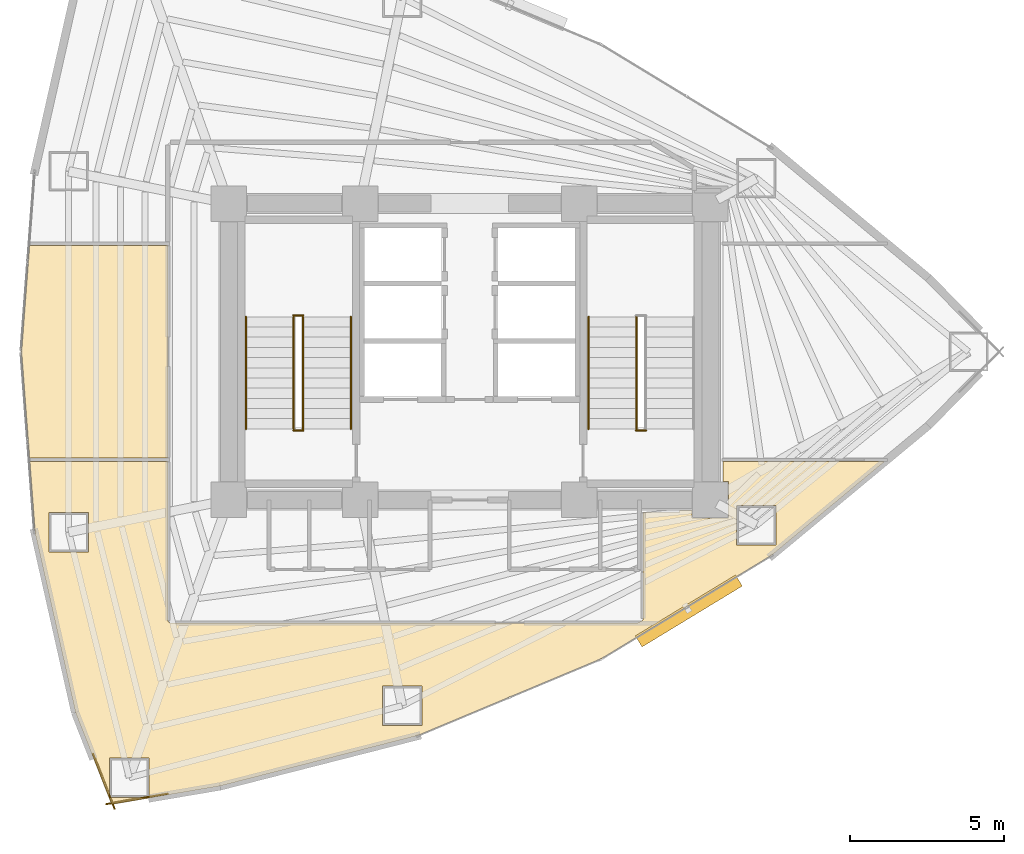
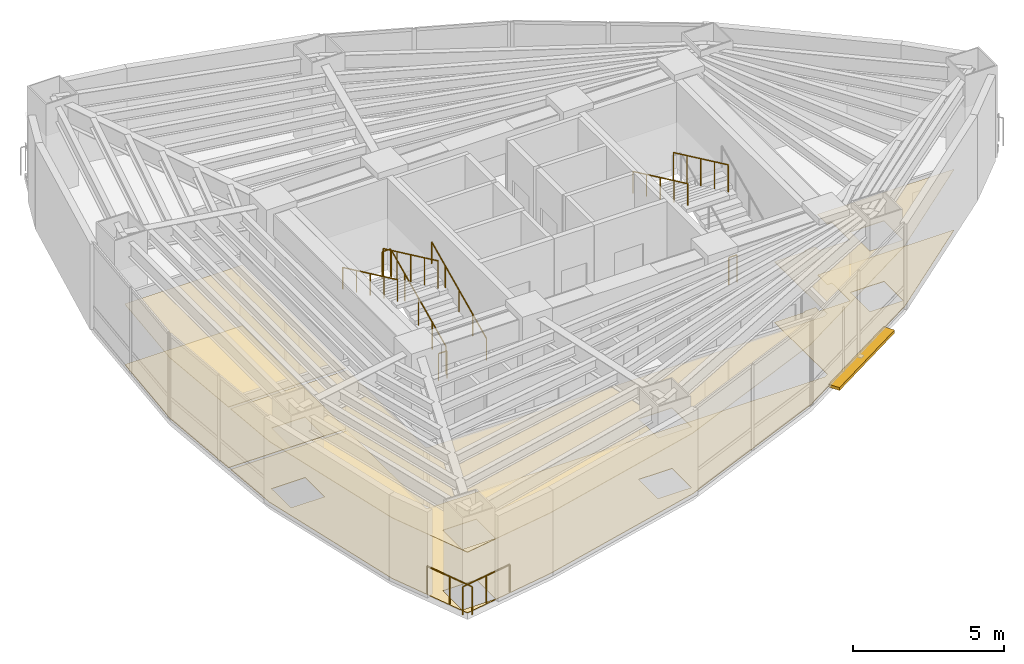
# One storey, part 17 of 18: 11 railings, 4 coverings, 1 shading device.
"""IFC4 building model written with IfcOpenShell, lengths in metres."""

from ifc_helpers import new_model, si_unit, direction, frame, origin, origin_2d, place, context, subcontext, project, spatial, polyline, rectangle, circle, outline, extrude, material, layer, layer_set, type_object, element, save


model = new_model("IFC4")

# Units and contexts
model_context = context("Model", 3, precision=1e-05, world=origin(), true_north=direction((0.0, 1.0)))
body_context = subcontext(model_context, "Body", "Model", "MODEL_VIEW")
ifc_project = project(units=[si_unit("LENGTHUNIT", "METRE"), si_unit("AREAUNIT", "SQUARE_METRE"), si_unit("VOLUMEUNIT", "CUBIC_METRE"), si_unit("PLANEANGLEUNIT", "RADIAN"), si_unit("MASSUNIT", "GRAM", prefix="KILO")], contexts=[model_context])

# Site, building, storey
site_placement = place(None, origin())
site = spatial("IfcSite", under=ifc_project, at=site_placement, CompositionType="ELEMENT")
building_placement = place(site_placement, origin())
building = spatial("IfcBuilding", under=site, at=building_placement, Name="Menara Vayukalpa", CompositionType="ELEMENT")
storey_placement = place(building_placement, frame((0.0, 0.0, 92.820068359375)))
storey = spatial("IfcBuildingStorey", under=building, at=storey_placement, Name="L22", CompositionType="ELEMENT", Elevation=92.820068359375)

# Coverings
ifc_material_1 = material(Name="Mineral Fibre Acoustic Ceiling Tile", Category="masonry")
ifc_layer_1 = layer(ifc_material_1, 0.02490234375)
ifc_layer_set_1 = layer_set([ifc_layer_1], Name="Mineral Fibre Acoustic Ceiling Tile")
covering_type_1 = type_object("IfcCoveringType", Name="COV-CLG1", PredefinedType="CEILING", material=ifc_layer_set_1)
covering_1_placement = place(storey_placement, frame((0.0, 0.0, 2.449951171875)))
element("IfcCovering", 1, at=covering_1_placement, inside=storey, type_object=covering_type_1, Name="L22 Digital Engineering Lab Acoustic Ceiling", PredefinedType="CEILING", context=body_context, shape_type="SweptSolid", body=[
    extrude(outline(polyline([(23.903564453125, 9.561767578125), (17.5087890625, 7.930908203125), (17.5078125, 7.9306640625), (14.00830078125, 7.33642578125), (14.00732421875, 7.33642578125), (14.00634765625, 7.33642578125), (14.005615234375, 7.33642578125), (14.00439453125, 7.336669921875), (14.003662109375, 7.3369140625), (14.002685546875, 7.33740234375), (14.001708984375, 7.337646484375), (14.0009765625, 7.338134765625), (14.000244140625, 7.3388671875), (13.99951171875, 7.339599609375), (13.998779296875, 7.340087890625), (13.998291015625, 7.341064453125), (13.997802734375, 7.341796875), (13.997314453125, 7.3427734375), (12.831787109375, 10.310791015625), (12.83154296875, 10.3115234375), (12.831298828125, 10.312255859375), (11.5166015625, 16.155029296875), (11.516357421875, 16.156494140625), (11.345947265625, 18.42919921875), (11.345947265625, 18.43017578125), (11.34619140625, 18.43115234375), (11.34619140625, 18.43212890625), (11.346435546875, 18.43310546875), (11.3466796875, 18.43408203125), (11.347412109375, 18.434814453125), (11.347900390625, 18.435791015625), (11.348388671875, 18.436279296875), (11.34912109375, 18.43701171875), (11.349609375, 18.437744140625), (11.3505859375, 18.4384765625), (11.351318359375, 18.43896484375), (11.352294921875, 18.439208984375), (11.35302734375, 18.439697265625), (11.35400390625, 18.439697265625), (11.35498046875, 18.43994140625), (11.35595703125, 18.43994140625), (15.820068359375, 18.43994140625), (15.821044921875, 18.43994140625), (15.822021484375, 18.439697265625), (15.822998046875, 18.439697265625), (15.82373046875, 18.439208984375), (15.82470703125, 18.438720703125), (15.82568359375, 18.438232421875), (15.826416015625, 18.437744140625), (15.8271484375, 18.43701171875), (15.82763671875, 18.436279296875), (15.828369140625, 18.435546875), (15.828857421875, 18.434814453125), (15.8291015625, 18.433837890625), (15.82958984375, 18.432861328125), (15.829833984375, 18.431884765625), (15.830078125, 18.430908203125), (15.830078125, 18.429931640625), (15.830078125, 13.290283203125), (15.830322265625, 13.283203125), (15.831298828125, 13.2763671875), (15.8330078125, 13.269775390625), (15.835205078125, 13.26318359375), (15.838134765625, 13.257080078125), (15.841796875, 13.251220703125), (15.845947265625, 13.24560546875), (15.8505859375, 13.240478515625), (15.85546875, 13.236083984375), (15.861083984375, 13.231689453125), (15.866943359375, 13.228271484375), (15.873291015625, 13.225341796875), (15.879638671875, 13.222900390625), (15.88623046875, 13.22119140625), (15.893310546875, 13.220458984375), (15.900390625, 13.219970703125), (31.048828125, 13.219970703125), (31.055419921875, 13.22021484375), (31.0615234375, 13.22119140625), (31.06787109375, 13.22265625), (31.073974609375, 13.224609375), (31.079833984375, 13.22705078125), (31.085693359375, 13.230224609375), (31.186279296875, 13.29150390625), (31.192138671875, 13.295654296875), (31.19775390625, 13.30029296875), (31.202880859375, 13.305419921875), (31.207275390625, 13.31103515625), (31.2109375, 13.317138671875), (31.214111328125, 13.323486328125), (31.216796875, 13.330078125), (31.218505859375, 13.337158203125), (31.219482421875, 13.34423828125), (31.219970703125, 13.3515625), (31.219970703125, 14.849609375), (31.219482421875, 14.856689453125), (31.21875, 14.86376953125), (31.217041015625, 14.870361328125), (31.214599609375, 14.876708984375), (31.2119140625, 14.8828125), (31.211669921875, 14.883056640625), (31.211181640625, 14.8837890625), (31.210693359375, 14.884765625), (31.21044921875, 14.8857421875), (31.210205078125, 14.88671875), (31.2099609375, 14.8876953125), (31.2099609375, 14.888671875), (31.2099609375, 16.780029296875), (31.2099609375, 16.781005859375), (31.210205078125, 16.781982421875), (31.21044921875, 16.782958984375), (31.210693359375, 16.78369140625), (31.211181640625, 16.78466796875), (31.211669921875, 16.78564453125), (31.21240234375, 16.786376953125), (31.212890625, 16.787109375), (31.213623046875, 16.78759765625), (31.21435546875, 16.788330078125), (31.21533203125, 16.788818359375), (31.21630859375, 16.789306640625), (31.217041015625, 16.78955078125), (31.218017578125, 16.789794921875), (31.218994140625, 16.7900390625), (31.219970703125, 16.7900390625), (32.389892578125, 16.7900390625), (32.389892578125, 16.85009765625), (32.81005859375, 16.85009765625), (32.81005859375, 16.610107421875), (33.989990234375, 16.610107421875), (33.989990234375, 17.7900390625), (33.81005859375, 17.7900390625), (33.81005859375, 18.429931640625), (33.81005859375, 18.430908203125), (33.810302734375, 18.431884765625), (33.810302734375, 18.432861328125), (33.810791015625, 18.433837890625), (33.811279296875, 18.434814453125), (33.811767578125, 18.435546875), (33.812255859375, 18.436279296875), (33.81298828125, 18.43701171875), (33.813720703125, 18.437744140625), (33.814453125, 18.438232421875), (33.815185546875, 18.438720703125), (33.816162109375, 18.439208984375), (33.817138671875, 18.439697265625), (33.818115234375, 18.439697265625), (33.819091796875, 18.43994140625), (33.820068359375, 18.43994140625), (39.0107421875, 18.43994140625), (39.01171875, 18.43994140625), (39.0126953125, 18.439697265625), (39.013671875, 18.439697265625), (39.014404296875, 18.439208984375), (39.015380859375, 18.438720703125), (39.01611328125, 18.438232421875), (39.01708984375, 18.437744140625), (39.017822265625, 18.43701171875), (39.018310546875, 18.436279296875), (39.01904296875, 18.435546875), (39.01953125, 18.434814453125), (39.02001953125, 18.433837890625), (39.020263671875, 18.432861328125), (39.0205078125, 18.431884765625), (39.0205078125, 18.430908203125), (39.020751953125, 18.429931640625), (39.020751953125, 18.42919921875), (39.0205078125, 18.427978515625), (39.020263671875, 18.427001953125), (39.02001953125, 18.42626953125), (39.01953125, 18.42529296875), (39.01904296875, 18.424560546875), (39.0185546875, 18.423583984375), (39.017822265625, 18.423095703125), (39.01708984375, 18.42236328125), (35.380859375, 15.40673828125), (35.379638671875, 15.406005859375), (29.862060546875, 12.05419921875), (29.861328125, 12.0537109375), (29.860595703125, 12.053466796875), (23.90478515625, 9.562255859375), (23.903564453125, 9.561767578125)]), holes=[polyline([(15.208984375, 8.842529296875), (13.92919921875, 8.842529296875), (13.92919921875, 7.5625), (15.208984375, 7.5625), (15.208984375, 8.842529296875)]), polyline([(24.048095703125, 11.172607421875), (22.768310546875, 11.172607421875), (22.768310546875, 9.892578125), (24.048095703125, 9.892578125), (24.048095703125, 11.172607421875)]), polyline([(13.24658203125, 16.794189453125), (11.966552734375, 16.794189453125), (11.966552734375, 15.514404296875), (13.24658203125, 15.514404296875), (13.24658203125, 16.794189453125)]), polyline([(35.52685546875, 17.018310546875), (34.246826171875, 17.018310546875), (34.246826171875, 15.73828125), (35.52685546875, 15.73828125), (35.52685546875, 17.018310546875)])]), origin(), (0.0, 0.0, 1.0), 0.02490234375),
])
covering_2_placement = place(storey_placement, frame((0.0, 0.0, 2.449951171875)))
element("IfcCovering", 2, at=covering_2_placement, inside=storey, type_object=covering_type_1, Name="L22 Staff First Aid Clinic Acoustic Ceiling", PredefinedType="CEILING", context=body_context, shape_type="SweptSolid", body=[
    extrude(outline(polyline([(11.078369140625, 22.0), (11.078369140625, 22.000732421875), (11.33544921875, 25.4306640625), (11.335693359375, 25.431640625), (11.3359375, 25.4326171875), (11.336181640625, 25.43359375), (11.336669921875, 25.4345703125), (11.337158203125, 25.435302734375), (11.337646484375, 25.436279296875), (11.33837890625, 25.43701171875), (11.339111328125, 25.437744140625), (11.33984375, 25.438232421875), (11.3408203125, 25.438720703125), (11.341552734375, 25.439208984375), (11.342529296875, 25.439697265625), (11.343505859375, 25.439697265625), (11.344482421875, 25.43994140625), (11.345458984375, 25.43994140625), (15.820068359375, 25.43994140625), (15.821044921875, 25.43994140625), (15.822021484375, 25.439697265625), (15.822998046875, 25.439697265625), (15.82373046875, 25.439208984375), (15.82470703125, 25.438720703125), (15.82568359375, 25.438232421875), (15.826416015625, 25.437744140625), (15.8271484375, 25.43701171875), (15.82763671875, 25.436279296875), (15.828369140625, 25.435546875), (15.828857421875, 25.434814453125), (15.8291015625, 25.433837890625), (15.82958984375, 25.432861328125), (15.829833984375, 25.431884765625), (15.830078125, 25.430908203125), (15.830078125, 25.429931640625), (15.830078125, 18.570068359375), (15.830078125, 18.569091796875), (15.829833984375, 18.568115234375), (15.82958984375, 18.567138671875), (15.8291015625, 18.566162109375), (15.828857421875, 18.565185546875), (15.828369140625, 18.564453125), (15.82763671875, 18.563720703125), (15.8271484375, 18.56298828125), (15.826416015625, 18.562255859375), (15.82568359375, 18.561767578125), (15.82470703125, 18.561279296875), (15.82373046875, 18.560791015625), (15.822998046875, 18.560302734375), (15.822021484375, 18.560302734375), (15.821044921875, 18.56005859375), (15.820068359375, 18.56005859375), (11.345458984375, 18.56005859375), (11.344482421875, 18.56005859375), (11.343505859375, 18.560302734375), (11.342529296875, 18.560302734375), (11.341552734375, 18.560791015625), (11.3408203125, 18.561279296875), (11.33984375, 18.561767578125), (11.339111328125, 18.562255859375), (11.33837890625, 18.56298828125), (11.337646484375, 18.563720703125), (11.337158203125, 18.564697265625), (11.336669921875, 18.5654296875), (11.336181640625, 18.56640625), (11.3359375, 18.5673828125), (11.335693359375, 18.568359375), (11.33544921875, 18.5693359375), (11.078369140625, 21.999267578125), (11.078369140625, 22.0)])), origin(), (0.0, 0.0, 1.0), 0.02490234375),
])
ifc_material_2 = material(Name="Porcelain Stoneware Floor Tile", Category="masonry")
ifc_layer_2 = layer(ifc_material_2, 0.02001953125)
ifc_layer_set_2 = layer_set([ifc_layer_2], Name="Porcelain Stoneware Floor Tile")
covering_type_2 = type_object("IfcCoveringType", Name="COV-FLR1", PredefinedType="FLOORING", material=ifc_layer_set_2)
covering_3_placement = place(storey_placement, origin())
element("IfcCovering", 3, at=covering_3_placement, inside=storey, type_object=covering_type_2, Name="L22 Digital Engineering Lab Porcelain Flooring", PredefinedType="FLOORING", context=body_context, shape_type="SweptSolid", body=[
    extrude(outline(polyline([(23.903564453125, 9.561767578125), (17.5087890625, 7.930908203125), (17.5078125, 7.9306640625), (14.00830078125, 7.33642578125), (14.00732421875, 7.33642578125), (14.00634765625, 7.33642578125), (14.005615234375, 7.33642578125), (14.00439453125, 7.336669921875), (14.003662109375, 7.3369140625), (14.002685546875, 7.33740234375), (14.001708984375, 7.337646484375), (14.0009765625, 7.338134765625), (14.000244140625, 7.3388671875), (13.99951171875, 7.339599609375), (13.998779296875, 7.340087890625), (13.998291015625, 7.341064453125), (13.997802734375, 7.341796875), (13.997314453125, 7.3427734375), (12.831787109375, 10.310791015625), (12.83154296875, 10.3115234375), (12.831298828125, 10.312255859375), (11.5166015625, 16.155029296875), (11.516357421875, 16.156494140625), (11.345947265625, 18.42919921875), (11.345947265625, 18.43017578125), (11.34619140625, 18.43115234375), (11.34619140625, 18.43212890625), (11.346435546875, 18.43310546875), (11.3466796875, 18.43408203125), (11.347412109375, 18.434814453125), (11.347900390625, 18.435791015625), (11.348388671875, 18.436279296875), (11.34912109375, 18.43701171875), (11.349609375, 18.437744140625), (11.3505859375, 18.4384765625), (11.351318359375, 18.43896484375), (11.352294921875, 18.439208984375), (11.35302734375, 18.439697265625), (11.35400390625, 18.439697265625), (11.35498046875, 18.43994140625), (11.35595703125, 18.43994140625), (15.820068359375, 18.43994140625), (15.821044921875, 18.43994140625), (15.822021484375, 18.439697265625), (15.822998046875, 18.439697265625), (15.82373046875, 18.439208984375), (15.82470703125, 18.438720703125), (15.82568359375, 18.438232421875), (15.826416015625, 18.437744140625), (15.8271484375, 18.43701171875), (15.82763671875, 18.436279296875), (15.828369140625, 18.435546875), (15.828857421875, 18.434814453125), (15.8291015625, 18.433837890625), (15.82958984375, 18.432861328125), (15.829833984375, 18.431884765625), (15.830078125, 18.430908203125), (15.830078125, 18.429931640625), (15.830078125, 13.290283203125), (15.830322265625, 13.283203125), (15.831298828125, 13.2763671875), (15.8330078125, 13.269775390625), (15.835205078125, 13.26318359375), (15.838134765625, 13.257080078125), (15.841796875, 13.251220703125), (15.845947265625, 13.24560546875), (15.8505859375, 13.240478515625), (15.85546875, 13.236083984375), (15.861083984375, 13.231689453125), (15.866943359375, 13.228271484375), (15.873291015625, 13.225341796875), (15.879638671875, 13.222900390625), (15.88623046875, 13.22119140625), (15.893310546875, 13.220458984375), (15.900390625, 13.219970703125), (31.048828125, 13.219970703125), (31.055419921875, 13.22021484375), (31.0615234375, 13.22119140625), (31.06787109375, 13.22265625), (31.073974609375, 13.224609375), (31.079833984375, 13.22705078125), (31.085693359375, 13.230224609375), (31.186279296875, 13.29150390625), (31.192138671875, 13.295654296875), (31.19775390625, 13.30029296875), (31.202880859375, 13.305419921875), (31.207275390625, 13.31103515625), (31.2109375, 13.317138671875), (31.214111328125, 13.323486328125), (31.216796875, 13.330078125), (31.218505859375, 13.337158203125), (31.219482421875, 13.34423828125), (31.219970703125, 13.3515625), (31.219970703125, 14.849609375), (31.219482421875, 14.856689453125), (31.21875, 14.86376953125), (31.217041015625, 14.870361328125), (31.214599609375, 14.876708984375), (31.2119140625, 14.8828125), (31.211669921875, 14.883056640625), (31.211181640625, 14.8837890625), (31.210693359375, 14.884765625), (31.21044921875, 14.8857421875), (31.210205078125, 14.88671875), (31.2099609375, 14.8876953125), (31.2099609375, 14.888671875), (31.2099609375, 16.780029296875), (31.2099609375, 16.781005859375), (31.210205078125, 16.781982421875), (31.21044921875, 16.782958984375), (31.210693359375, 16.78369140625), (31.211181640625, 16.78466796875), (31.211669921875, 16.78564453125), (31.21240234375, 16.786376953125), (31.212890625, 16.787109375), (31.213623046875, 16.78759765625), (31.21435546875, 16.788330078125), (31.21533203125, 16.788818359375), (31.21630859375, 16.789306640625), (31.217041015625, 16.78955078125), (31.218017578125, 16.789794921875), (31.218994140625, 16.7900390625), (31.219970703125, 16.7900390625), (32.389892578125, 16.7900390625), (32.389892578125, 16.85009765625), (32.81005859375, 16.85009765625), (32.81005859375, 16.610107421875), (33.989990234375, 16.610107421875), (33.989990234375, 17.7900390625), (33.81005859375, 17.7900390625), (33.81005859375, 18.429931640625), (33.81005859375, 18.430908203125), (33.810302734375, 18.431884765625), (33.810302734375, 18.432861328125), (33.810791015625, 18.433837890625), (33.811279296875, 18.434814453125), (33.811767578125, 18.435546875), (33.812255859375, 18.436279296875), (33.81298828125, 18.43701171875), (33.813720703125, 18.437744140625), (33.814453125, 18.438232421875), (33.815185546875, 18.438720703125), (33.816162109375, 18.439208984375), (33.817138671875, 18.439697265625), (33.818115234375, 18.439697265625), (33.819091796875, 18.43994140625), (33.820068359375, 18.43994140625), (39.0107421875, 18.43994140625), (39.01171875, 18.43994140625), (39.0126953125, 18.439697265625), (39.013671875, 18.439697265625), (39.014404296875, 18.439208984375), (39.015380859375, 18.438720703125), (39.01611328125, 18.438232421875), (39.01708984375, 18.437744140625), (39.017822265625, 18.43701171875), (39.018310546875, 18.436279296875), (39.01904296875, 18.435546875), (39.01953125, 18.434814453125), (39.02001953125, 18.433837890625), (39.020263671875, 18.432861328125), (39.0205078125, 18.431884765625), (39.0205078125, 18.430908203125), (39.020751953125, 18.429931640625), (39.020751953125, 18.42919921875), (39.0205078125, 18.427978515625), (39.020263671875, 18.427001953125), (39.02001953125, 18.42626953125), (39.01953125, 18.42529296875), (39.01904296875, 18.424560546875), (39.0185546875, 18.423583984375), (39.017822265625, 18.423095703125), (39.01708984375, 18.42236328125), (35.380859375, 15.40673828125), (35.379638671875, 15.406005859375), (29.862060546875, 12.05419921875), (29.861328125, 12.0537109375), (29.860595703125, 12.053466796875), (23.90478515625, 9.562255859375), (23.903564453125, 9.561767578125)]), holes=[polyline([(15.208984375, 8.842529296875), (13.92919921875, 8.842529296875), (13.92919921875, 7.5625), (15.208984375, 7.5625), (15.208984375, 8.842529296875)]), polyline([(24.048095703125, 11.172607421875), (22.768310546875, 11.172607421875), (22.768310546875, 9.892578125), (24.048095703125, 9.892578125), (24.048095703125, 11.172607421875)]), polyline([(13.24658203125, 16.794189453125), (11.966552734375, 16.794189453125), (11.966552734375, 15.514404296875), (13.24658203125, 15.514404296875), (13.24658203125, 16.794189453125)]), polyline([(35.52685546875, 17.018310546875), (34.246826171875, 17.018310546875), (34.246826171875, 15.73828125), (35.52685546875, 15.73828125), (35.52685546875, 17.018310546875)])]), origin(), (0.0, 0.0, 1.0), 0.02001953125),
])
covering_4_placement = place(storey_placement, origin())
element("IfcCovering", 4, at=covering_4_placement, inside=storey, type_object=covering_type_2, Name="L22 Staff First Aid Clinic Porcelain Flooring", PredefinedType="FLOORING", context=body_context, shape_type="SweptSolid", body=[
    extrude(outline(polyline([(11.078369140625, 22.0), (11.078369140625, 22.000732421875), (11.33544921875, 25.4306640625), (11.335693359375, 25.431640625), (11.3359375, 25.4326171875), (11.336181640625, 25.43359375), (11.336669921875, 25.4345703125), (11.337158203125, 25.435302734375), (11.337646484375, 25.436279296875), (11.33837890625, 25.43701171875), (11.339111328125, 25.437744140625), (11.33984375, 25.438232421875), (11.3408203125, 25.438720703125), (11.341552734375, 25.439208984375), (11.342529296875, 25.439697265625), (11.343505859375, 25.439697265625), (11.344482421875, 25.43994140625), (11.345458984375, 25.43994140625), (15.820068359375, 25.43994140625), (15.821044921875, 25.43994140625), (15.822021484375, 25.439697265625), (15.822998046875, 25.439697265625), (15.82373046875, 25.439208984375), (15.82470703125, 25.438720703125), (15.82568359375, 25.438232421875), (15.826416015625, 25.437744140625), (15.8271484375, 25.43701171875), (15.82763671875, 25.436279296875), (15.828369140625, 25.435546875), (15.828857421875, 25.434814453125), (15.8291015625, 25.433837890625), (15.82958984375, 25.432861328125), (15.829833984375, 25.431884765625), (15.830078125, 25.430908203125), (15.830078125, 25.429931640625), (15.830078125, 18.570068359375), (15.830078125, 18.569091796875), (15.829833984375, 18.568115234375), (15.82958984375, 18.567138671875), (15.8291015625, 18.566162109375), (15.828857421875, 18.565185546875), (15.828369140625, 18.564453125), (15.82763671875, 18.563720703125), (15.8271484375, 18.56298828125), (15.826416015625, 18.562255859375), (15.82568359375, 18.561767578125), (15.82470703125, 18.561279296875), (15.82373046875, 18.560791015625), (15.822998046875, 18.560302734375), (15.822021484375, 18.560302734375), (15.821044921875, 18.56005859375), (15.820068359375, 18.56005859375), (11.345458984375, 18.56005859375), (11.344482421875, 18.56005859375), (11.343505859375, 18.560302734375), (11.342529296875, 18.560302734375), (11.341552734375, 18.560791015625), (11.3408203125, 18.561279296875), (11.33984375, 18.561767578125), (11.339111328125, 18.562255859375), (11.33837890625, 18.56298828125), (11.337646484375, 18.563720703125), (11.337158203125, 18.564697265625), (11.336669921875, 18.5654296875), (11.336181640625, 18.56640625), (11.3359375, 18.5673828125), (11.335693359375, 18.568359375), (11.33544921875, 18.5693359375), (11.078369140625, 21.999267578125), (11.078369140625, 22.0)])), origin(), (0.0, 0.0, 1.0), 0.02001953125),
])

# Railings
ifc_material_3 = material(Name="Laminated Glass and Stainless Steel 316 Guardrail", Category="steel")
railing_type_1 = type_object("IfcRailingType", Name="RLG-EXT115", PredefinedType="GUARDRAIL", material=ifc_material_3)
railing_1_placement = place(storey_placement, frame((13.39990234375, 8.9736328125, 0.0)))
element("IfcRailing", 5, at=railing_1_placement, inside=storey, type_object=railing_type_1, Name="L22 Column Corner Spandrel Guardrail 13-1", PredefinedType="GUARDRAIL", context=body_context, shape_type="SweptSolid", body=[
    extrude(circle(Radius=0.02392578125, at=origin_2d()), frame((0.0, 0.0, 1.1259765625), z_axis=(0.365573386764, -0.930782519652, 0.0), x_axis=(0.930782519652, 0.365573386764, 0.0)), (0.0, 0.0, 1.0), 1.91259765625),
    extrude(circle(Radius=0.02099609375, at=origin_2d()), origin(), (0.0, 0.0, 1.0), 1.101806640625),
    extrude(circle(Radius=0.02099609375, at=origin_2d()), frame((0.349609375, -0.89013671875, 0.0)), (0.0, 0.0, 1.0), 1.101806640625),
    extrude(circle(Radius=0.02099609375, at=origin_2d()), frame((0.69921875, -1.7802734375, 0.0)), (0.0, 0.0, 1.0), 1.101806640625),
])
railing_2_placement = place(storey_placement, frame((13.827880859375, 7.346435546875, 0.0)))
element("IfcRailing", 6, at=railing_2_placement, inside=storey, type_object=railing_type_1, Name="L22 Column Corner Spandrel Guardrail 14-1", PredefinedType="GUARDRAIL", context=body_context, shape_type="SweptSolid", body=[
    extrude(circle(Radius=0.02392578125, at=origin_2d()), frame((0.0, 0.0, 1.1259765625), z_axis=(0.985895977605, 0.16735925831, 0.0), x_axis=(-0.16735925831, 0.985895977605, 0.0)), (0.0, 0.0, 1.0), 2.01904296875),
    extrude(circle(Radius=0.02099609375, at=origin_2d()), origin(), (0.0, 0.0, 1.0), 1.101806640625),
    extrude(circle(Radius=0.02099609375, at=origin_2d()), frame((0.9951171875, 0.1689453125, 0.0)), (0.0, 0.0, 1.0), 1.101806640625),
    extrude(circle(Radius=0.02099609375, at=origin_2d()), frame((1.990478515625, 0.337890625, 0.0)), (0.0, 0.0, 1.0), 1.101806640625),
])
ifc_material_4 = material(Name="Powder-Coated Galvanised Steel Guardrail", Category="steel")
railing_type_2 = type_object("IfcRailingType", Name="RLG-STG110", PredefinedType="GUARDRAIL", material=ifc_material_4)
railing_3_placement = place(storey_placement, frame((20.199951171875, 19.5, 0.155029296875)))
element("IfcRailing", 7, at=railing_3_placement, inside=storey, type_object=railing_type_2, Name="L22 ST-1 stair guard 1", PredefinedType="GUARDRAIL", context=body_context, shape_type="SweptSolid", body=[
    extrude(circle(Radius=0.02392578125, at=origin_2d()), frame((0.0, 0.0, 1.09619140625), z_axis=(0.0, 0.90513990983, 0.425113800803), x_axis=(-1.0, 0.0, 0.0)), (0.0, 0.0, 1.0), 4.01025390625),
    extrude(circle(Radius=0.02099609375, at=origin_2d()), origin(), (0.0, 0.0, 1.0), 1.072021484375),
    extrude(circle(Radius=0.02099609375, at=origin_2d()), frame((0.0, 0.907470703125, 0.42626953125)), (0.0, 0.0, 1.0), 1.072021484375),
    extrude(circle(Radius=0.02099609375, at=origin_2d()), frame((0.0, 1.81494140625, 0.8525390625)), (0.0, 0.0, 1.0), 1.072021484375),
    extrude(circle(Radius=0.02099609375, at=origin_2d()), frame((0.0, 2.722412109375, 1.278564453125)), (0.0, 0.0, 1.0), 1.072021484375),
    extrude(circle(Radius=0.02099609375, at=origin_2d()), frame((0.0, 3.6298828125, 1.704833984375)), (0.0, 0.0, 1.0), 1.072021484375),
])
railing_4_placement = place(storey_placement, frame((20.2099609375, 23.179931640625, 1.85986328125)))
element("IfcRailing", 8, at=railing_4_placement, inside=storey, type_object=railing_type_2, Name="L22 ST-1 stair guard 2", PredefinedType="GUARDRAIL", context=body_context, shape_type="SweptSolid", body=[
    extrude(circle(Radius=0.02392578125, at=origin_2d()), frame((0.0, 0.0, 1.09619140625), z_axis=(-1.0, 0.0, 0.0), x_axis=(0.0, -1.0, 0.0)), (0.0, 0.0, 1.0), 0.320068359375),
    extrude(circle(Radius=0.02099609375, at=origin_2d()), origin(), (0.0, 0.0, 1.0), 1.072021484375),
    extrude(circle(Radius=0.02099609375, at=origin_2d()), frame((-0.320068359375, 0.0, 0.0)), (0.0, 0.0, 1.0), 1.072021484375),
])
railing_5_placement = place(storey_placement, frame((19.89990234375, 23.1298828125, 2.014892578125)))
element("IfcRailing", 9, at=railing_5_placement, inside=storey, type_object=railing_type_2, Name="L22 ST-1 stair guard 3", PredefinedType="GUARDRAIL", context=body_context, shape_type="SweptSolid", body=[
    extrude(circle(Radius=0.02392578125, at=origin_2d()), frame((0.0, 0.0, 1.09619140625), z_axis=(0.0, -0.90511648382, 0.425163675209), x_axis=(1.0, 0.0, 0.0)), (0.0, 0.0, 1.0), 4.010498046875),
    extrude(circle(Radius=0.02099609375, at=origin_2d()), origin(), (0.0, 0.0, 1.0), 1.072021484375),
    extrude(circle(Radius=0.02099609375, at=origin_2d()), frame((0.0, -0.907470703125, 0.42626953125)), (0.0, 0.0, 1.0), 1.072021484375),
    extrude(circle(Radius=0.02099609375, at=origin_2d()), frame((0.0, -1.81494140625, 0.8525390625)), (0.0, 0.0, 1.0), 1.072021484375),
    extrude(circle(Radius=0.02099609375, at=origin_2d()), frame((0.0, -2.722412109375, 1.27880859375)), (0.0, 0.0, 1.0), 1.072021484375),
    extrude(circle(Radius=0.02099609375, at=origin_2d()), frame((0.0, -3.6298828125, 1.705078125)), (0.0, 0.0, 1.0), 1.072021484375),
])
railing_6_placement = place(storey_placement, frame((20.2099609375, 19.449951171875, 0.0)))
element("IfcRailing", 10, at=railing_6_placement, inside=storey, type_object=railing_type_2, Name="L22 ST-1 stair guard 4", PredefinedType="GUARDRAIL", context=body_context, shape_type="SweptSolid", body=[
    extrude(circle(Radius=0.02392578125, at=origin_2d()), frame((0.0, 0.0, 1.09619140625), z_axis=(-1.0, 0.0, 0.0), x_axis=(0.0, -1.0, 0.0)), (0.0, 0.0, 1.0), 0.320068359375),
    extrude(circle(Radius=0.02099609375, at=origin_2d()), origin(), (0.0, 0.0, 1.0), 1.072021484375),
    extrude(circle(Radius=0.02099609375, at=origin_2d()), frame((-0.320068359375, 0.0, 0.0)), (0.0, 0.0, 1.0), 1.072021484375),
])
railing_7_placement = place(storey_placement, frame((31.0, 23.1298828125, 2.014892578125)))
element("IfcRailing", 11, at=railing_7_placement, inside=storey, type_object=railing_type_2, Name="L22 ST-2 stair guard 3", PredefinedType="GUARDRAIL", context=body_context, shape_type="SweptSolid", body=[
    extrude(circle(Radius=0.02392578125, at=origin_2d()), frame((0.0, 0.0, 1.09619140625), z_axis=(0.0, -0.90511648382, 0.425163675209), x_axis=(1.0, 0.0, 0.0)), (0.0, 0.0, 1.0), 4.010498046875),
    extrude(circle(Radius=0.02099609375, at=origin_2d()), origin(), (0.0, 0.0, 1.0), 1.072021484375),
    extrude(circle(Radius=0.02099609375, at=origin_2d()), frame((0.0, -0.907470703125, 0.42626953125)), (0.0, 0.0, 1.0), 1.072021484375),
    extrude(circle(Radius=0.02099609375, at=origin_2d()), frame((0.0, -1.81494140625, 0.8525390625)), (0.0, 0.0, 1.0), 1.072021484375),
    extrude(circle(Radius=0.02099609375, at=origin_2d()), frame((0.0, -2.722412109375, 1.27880859375)), (0.0, 0.0, 1.0), 1.072021484375),
    extrude(circle(Radius=0.02099609375, at=origin_2d()), frame((0.0, -3.6298828125, 1.705078125)), (0.0, 0.0, 1.0), 1.072021484375),
])
railing_8_placement = place(storey_placement, frame((31.31005859375, 19.449951171875, 0.0)))
element("IfcRailing", 12, at=railing_8_placement, inside=storey, type_object=railing_type_2, Name="L22 ST-2 stair guard 4", PredefinedType="GUARDRAIL", context=body_context, shape_type="SweptSolid", body=[
    extrude(circle(Radius=0.02392578125, at=origin_2d()), frame((0.0, 0.0, 1.09619140625), z_axis=(-1.0, 0.0, 0.0), x_axis=(0.0, -1.0, 0.0)), (0.0, 0.0, 1.0), 0.320068359375),
    extrude(circle(Radius=0.02099609375, at=origin_2d()), origin(), (0.0, 0.0, 1.0), 1.072021484375),
    extrude(circle(Radius=0.02099609375, at=origin_2d()), frame((-0.320068359375, 0.0, 0.0)), (0.0, 0.0, 1.0), 1.072021484375),
])
ifc_material_5 = material(Name="Stainless Steel 316 Tubular Handrail", Category="steel")
railing_type_3 = type_object("IfcRailingType", Name="RLG-STH090", PredefinedType="HANDRAIL", material=ifc_material_5)
railing_9_placement = place(storey_placement, frame((21.75, 19.5, 0.155029296875)))
element("IfcRailing", 13, at=railing_9_placement, inside=storey, type_object=railing_type_3, Name="L22 ST-1 stair handrail 1", PredefinedType="HANDRAIL", context=body_context, shape_type="SweptSolid", body=[
    extrude(circle(Radius=0.02392578125, at=origin_2d()), frame((0.0, 0.0, 0.8759765625), z_axis=(0.0, 0.90513990983, 0.425113800803), x_axis=(-1.0, 0.0, 0.0)), (0.0, 0.0, 1.0), 4.01025390625),
    extrude(circle(Radius=0.02099609375, at=origin_2d()), origin(), (0.0, 0.0, 1.0), 0.851806640625),
    extrude(circle(Radius=0.02099609375, at=origin_2d()), frame((0.0, 0.907470703125, 0.42626953125)), (0.0, 0.0, 1.0), 0.851806640625),
    extrude(circle(Radius=0.02099609375, at=origin_2d()), frame((0.0, 1.81494140625, 0.8525390625)), (0.0, 0.0, 1.0), 0.851806640625),
    extrude(circle(Radius=0.02099609375, at=origin_2d()), frame((0.0, 2.722412109375, 1.278564453125)), (0.0, 0.0, 1.0), 0.851806640625),
    extrude(circle(Radius=0.02099609375, at=origin_2d()), frame((0.0, 3.6298828125, 1.704833984375)), (0.0, 0.0, 1.0), 0.851806640625),
])
for number, where, name in (
    (14, (18.35009765625, 23.1298828125, 2.014892578125), "L22 ST-1 stair handrail 2"),
    (15, (29.449951171875, 23.1298828125, 2.014892578125), "L22 ST-2 stair handrail 2"),
):
    element("IfcRailing", number, at=place(storey_placement, frame(where)), inside=storey, type_object=railing_type_3, Name=name, PredefinedType="HANDRAIL", context=body_context, shape_type="SweptSolid", body=[
        extrude(circle(Radius=0.02392578125, at=origin_2d()), frame((0.0, 0.0, 0.8759765625), z_axis=(0.0, -0.90511648382, 0.425163675209), x_axis=(1.0, 0.0, 0.0)), (0.0, 0.0, 1.0), 4.010498046875),
        extrude(circle(Radius=0.02099609375, at=origin_2d()), origin(), (0.0, 0.0, 1.0), 0.851806640625),
        extrude(circle(Radius=0.02099609375, at=origin_2d()), frame((0.0, -0.907470703125, 0.42626953125)), (0.0, 0.0, 1.0), 0.851806640625),
        extrude(circle(Radius=0.02099609375, at=origin_2d()), frame((0.0, -1.81494140625, 0.8525390625)), (0.0, 0.0, 1.0), 0.851806640625),
        extrude(circle(Radius=0.02099609375, at=origin_2d()), frame((0.0, -2.722412109375, 1.27880859375)), (0.0, 0.0, 1.0), 0.851806640625),
        extrude(circle(Radius=0.02099609375, at=origin_2d()), frame((0.0, -3.6298828125, 1.705078125)), (0.0, 0.0, 1.0), 0.851806640625),
    ])

# Shading device
ifc_material_6 = material(Name="Glazed Terracotta Ceramic Baguette Extrusion", Category="masonry")
ifc_layer_3 = layer(ifc_material_6, 0.1201171875)
ifc_layer_set_3 = layer_set([ifc_layer_3], Name="Glazed Terracotta Ceramic Baguette Extrusion")
shading_device_type = type_object("IfcShadingDeviceType", Name="SHD-SS1", PredefinedType="USERDEFINED", material=ifc_layer_set_3)
shading_device_placement = place(storey_placement, frame((32.698486328125, 13.601806640625, -0.10009765625), z_axis=(0.0, 0.0, 1.0), x_axis=(0.85466730962, 0.519176068272, 0.0)))
element("IfcShadingDevice", 16, at=shading_device_placement, inside=storey, type_object=shading_device_type, Name="L22 Horizontal Terracotta Sunshade Band 17", ObjectType="SUNSHADE", PredefinedType="USERDEFINED", context=body_context, shape_type="SweptSolid", body=[
    extrude(rectangle(XDim=3.800048828125, YDim=0.419921875, at=origin_2d()), origin(), (0.0, 0.0, 1.0), 0.1201171875),
])

save(model, "model.ifc")
